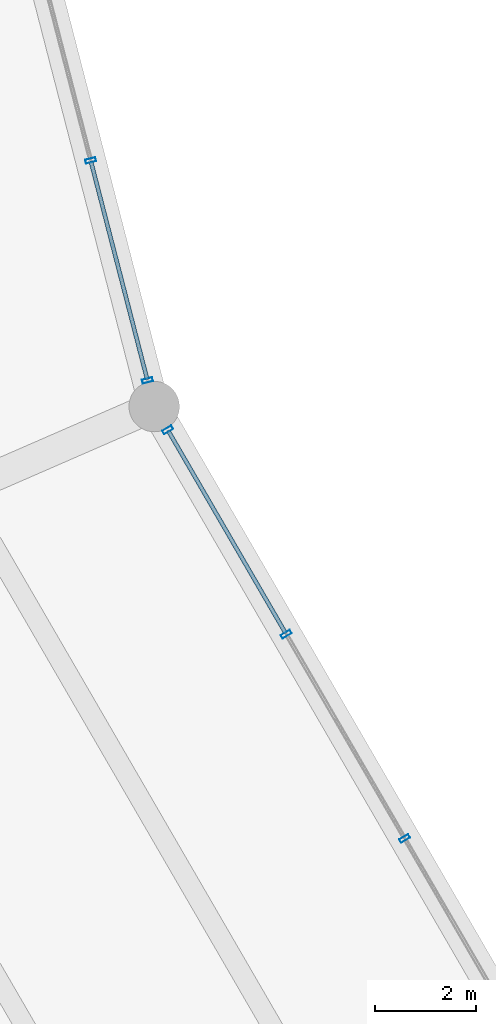
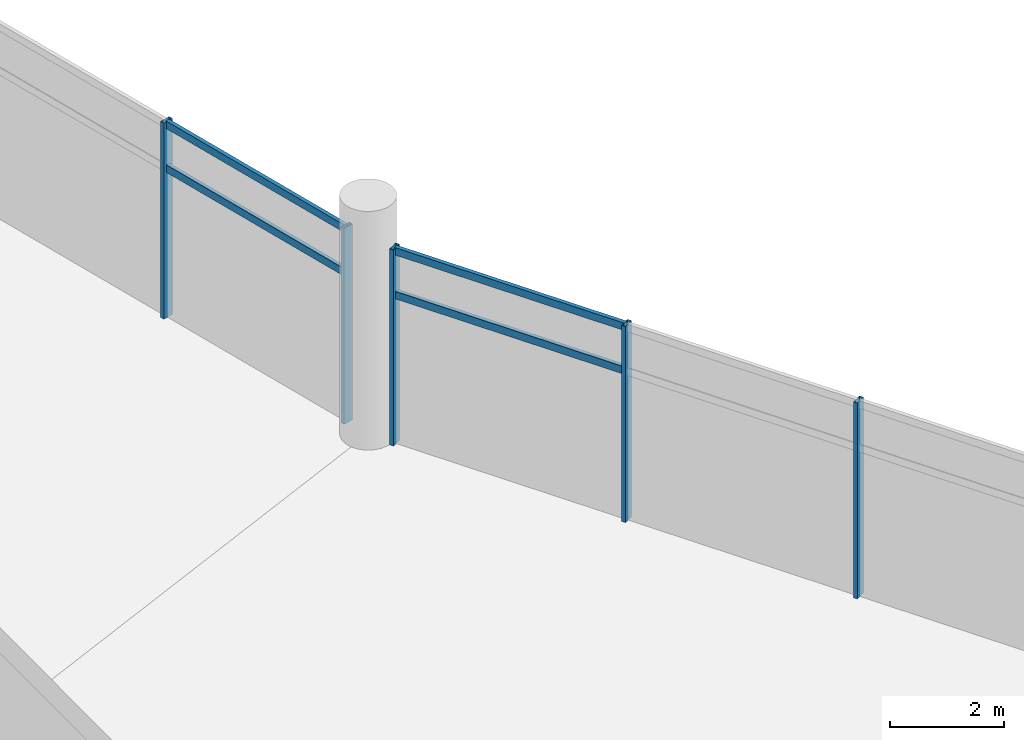
# One storey, part 15 of 184: 9 members, 2 elements without a shape of their own.
"""IFC4 building model written with IfcOpenShell, lengths in metres."""

import ifcopenshell
import ifcopenshell.guid

model = None  # the IFC model being written
_history = None  # IfcOwnerHistory: only IFC2X3 demands one
_inside = {}  # id of a spatial element -> (the spatial element, [elements in it])
_under = {}  # id of a project, library or spatial element -> (it, [spatial elements below it])
_declared = {}  # id of a project -> (the project, [libraries it declares])
_typed = {}  # id of a type object -> (the type object, [elements of that type])
_made_of = {}  # id of a material, layer set ... -> (it, [elements and type objects made of it])


def new_model(schema):
    """Start an empty IFC model of exactly this schema.

    Asked for "IFC4X3", IfcOpenShell would pick the latest addendum, in which some entities
    have other attributes; the version numbers below select the first issue.
    IFC2X3 requires an IfcOwnerHistory on every rooted entity: one is made here for all.
    """
    global model, _history
    if schema == "IFC4X3":
        model = ifcopenshell.file(schema_version=(4, 3, 0, 0))
    else:
        model = ifcopenshell.file(schema=schema)
    _inside.clear()
    _under.clear()
    _declared.clear()
    _typed.clear()
    _made_of.clear()
    _history = None
    if model.schema == "IFC2X3":
        org = make("IfcOrganization", Name="unknown")
        user = make(
            "IfcPersonAndOrganization",
            ThePerson=make("IfcPerson", FamilyName="unknown"),
            TheOrganization=org,
        )
        app = make(
            "IfcApplication",
            ApplicationDeveloper=org,
            Version="unknown",
            ApplicationFullName="unknown",
            ApplicationIdentifier="unknown",
        )
        _history = make(
            "IfcOwnerHistory",
            OwningUser=user,
            OwningApplication=app,
            ChangeAction="ADDED",
            CreationDate=0,
        )
    return model


def make(cls, **values):
    """One entity of the class cls with the attributes given. An attribute that is None is left unset."""
    return model.create_entity(
        cls, **{name: value for name, value in values.items() if value is not None}
    )


def rooted(cls, **values):
    """An entity with a GlobalId (a new one), such as an element, a storey or a relation."""
    return make(cls, GlobalId=ifcopenshell.guid.new(), OwnerHistory=_history, **values)


def si_unit(unit_type, name, prefix=None):
    """IfcSIUnit, for example si_unit("LENGTHUNIT", "METRE", prefix="MILLI")."""
    return make("IfcSIUnit", UnitType=unit_type, Prefix=prefix, Name=name)


def assignment(units):
    """IfcUnitAssignment: the units of a project."""
    return None if units is None else make("IfcUnitAssignment", Units=units)


def point(xyz):
    """IfcCartesianPoint."""
    return None if xyz is None else make("IfcCartesianPoint", Coordinates=xyz)


def direction(xyz):
    """IfcDirection."""
    return None if xyz is None else make("IfcDirection", DirectionRatios=xyz)


def frame(location, z_axis=None, x_axis=None):
    """IfcAxis2Placement3D, a coordinate frame: its origin and axes. An axis left out is left unset."""
    return make(
        "IfcAxis2Placement3D",
        Location=point(location),
        Axis=direction(z_axis),
        RefDirection=direction(x_axis),
    )


def frame_2d(location, x_axis=None):
    """IfcAxis2Placement2D, a coordinate frame in the plane: its origin and x axis."""
    return make(
        "IfcAxis2Placement2D", Location=point(location), RefDirection=direction(x_axis)
    )


def origin():
    """The frame at (0, 0, 0) with its axes left unset."""
    return frame((0.0, 0.0, 0.0))


def origin_2d():
    """The frame at (0, 0) in the plane with its x axis left unset."""
    return frame_2d((0.0, 0.0))


def place(relative_to, where):
    """IfcLocalPlacement: puts the frame where relative to a parent placement (None: the world)."""
    return make(
        "IfcLocalPlacement", PlacementRelTo=relative_to, RelativePlacement=where
    )


def context(
    kind, dimensions, precision=None, world=None, true_north=None, identifier=None
):
    """IfcGeometricRepresentationContext, for example the 3D "Model" context."""
    return make(
        "IfcGeometricRepresentationContext",
        ContextIdentifier=identifier,
        ContextType=kind,
        CoordinateSpaceDimension=dimensions,
        Precision=precision,
        WorldCoordinateSystem=world,
        TrueNorth=true_north,
    )


def subcontext(parent, identifier, kind, view, scale=None):
    """IfcGeometricRepresentationSubContext, for example "Body" below "Model"."""
    return make(
        "IfcGeometricRepresentationSubContext",
        ContextIdentifier=identifier,
        ContextType=kind,
        ParentContext=parent,
        TargetScale=scale,
        TargetView=view,
    )


def project(units=None, contexts=None):
    """IfcProject with its units and contexts."""
    return rooted(
        "IfcProject",
        Name="project",
        RepresentationContexts=contexts,
        UnitsInContext=assignment(units),
    )


def spatial(cls, under=None, at=None, **own):
    """A site, building, storey or space (cls), placed at a placement, below another one or the project."""
    s = rooted(cls, ObjectPlacement=at, **own)
    if under is not None:
        _under.setdefault(under.id(), (under, []))[1].append(s)
    return s


def profile(cls, at=None, kind="AREA", **sizes):
    """A parametric profile (cls). Its sizes go by their IFC names, for example OverallWidth=200.0."""
    return make(cls, ProfileType=kind, Position=at, **sizes)


def hollow_rectangle(**sizes):
    """IfcRectangleHollowProfileDef."""
    return profile("IfcRectangleHollowProfileDef", **sizes)


def extrude(swept, where, along, depth):
    """IfcExtrudedAreaSolid: the profile swept, set in the frame where, extruded along a direction by depth."""
    return make(
        "IfcExtrudedAreaSolid",
        SweptArea=swept,
        Position=where,
        ExtrudedDirection=direction(along),
        Depth=depth,
    )


def shape(context_of_items, identifier, shape_type, items):
    """IfcShapeRepresentation: the items that make up one representation, for example the "Body"."""
    return make(
        "IfcShapeRepresentation",
        ContextOfItems=context_of_items,
        RepresentationIdentifier=identifier,
        RepresentationType=shape_type,
        Items=items,
    )


def material(Name=None, Category=None):
    """IfcMaterial."""
    return make("IfcMaterial", Name=Name, Category=Category)


def layer(
    of_material, thickness, ventilated=None, Name=None, Category=None, Priority=None
):
    """IfcMaterialLayer: one layer of a wall or slab, of a material (None: an air gap)."""
    return make(
        "IfcMaterialLayer",
        Material=of_material,
        LayerThickness=thickness,
        IsVentilated=ventilated,
        Name=Name,
        Category=Category,
        Priority=Priority,
    )


def layer_set(layers, Name=None):
    """IfcMaterialLayerSet."""
    return make("IfcMaterialLayerSet", MaterialLayers=layers, LayerSetName=Name)


def material_profile(
    of_material, cross_section, Name=None, Category=None, Priority=None
):
    """IfcMaterialProfile: a cross section and its material."""
    return make(
        "IfcMaterialProfile",
        Name=Name,
        Material=of_material,
        Profile=cross_section,
        Priority=Priority,
        Category=Category,
    )


def profile_set(profiles, Name=None, composite=None):
    """IfcMaterialProfileSet."""
    return make(
        "IfcMaterialProfileSet",
        Name=Name,
        MaterialProfiles=profiles,
        CompositeProfile=composite,
    )


def made_of(thing, what):
    """Note that an element or type object is made of a material, layer set ...; save() writes the relation."""
    if what is not None:
        _made_of.setdefault(what.id(), (what, []))[1].append(thing)
    return thing


def type_object(cls, material=None, **own):
    """A type object (cls), such as IfcWallType, which elements share."""
    return made_of(rooted(cls, **own), material)


def element(
    cls,
    number,
    at=None,
    inside=None,
    cuts=None,
    type_object=None,
    material=None,
    context=None,
    identifier="Body",
    shape_type=None,
    held_by="IfcProductDefinitionShape",
    body=None,
    shapes=None,
    **own,
):
    """One element of the class cls, such as IfcWall. Its Tag is "e" and its number.

    at: its placement. inside: the storey or other place that contains it. cuts: it is an
    opening in that element (IfcRelVoidsElement). A single representation is given by context,
    identifier, shape_type and body (its items); several are given by shapes. held_by: the class
    of the entity that holds the representations. save() writes the other relations.
    """
    e = rooted(cls, Tag="e%d" % number, ObjectPlacement=at, **own)
    if body is not None:
        shapes = [shape(context, identifier, shape_type, body)]
    if shapes is not None:
        e.Representation = make(held_by, Representations=shapes)
    if inside is not None:
        _inside.setdefault(inside.id(), (inside, []))[1].append(e)
    if cuts is not None:
        rooted(
            "IfcRelVoidsElement", RelatingBuildingElement=cuts, RelatedOpeningElement=e
        )
    if type_object is not None:
        _typed.setdefault(type_object.id(), (type_object, []))[1].append(e)
    return made_of(e, material)


def aggregate(whole, parts):
    """IfcRelAggregates: a whole, such as a stair, and the parts it consists of."""
    return rooted("IfcRelAggregates", RelatingObject=whole, RelatedObjects=parts)


def save(model, path):
    """Write the relations noted so far, then the file.

    IfcRelAggregates (storeys below a building ...), IfcRelContainedInSpatialStructure (elements
    in a storey), IfcRelDefinesByType, IfcRelAssociatesMaterial and IfcRelDeclares: one each for
    every whole, place, type object, material and project.
    """
    for whole, parts in _under.values():
        aggregate(whole, parts)
    for where, things in _inside.values():
        rooted(
            "IfcRelContainedInSpatialStructure",
            RelatedElements=things,
            RelatingStructure=where,
        )
    for kind, things in _typed.values():
        rooted("IfcRelDefinesByType", RelatedObjects=things, RelatingType=kind)
    for what, things in _made_of.values():
        rooted("IfcRelAssociatesMaterial", RelatedObjects=things, RelatingMaterial=what)
    for by, libraries in _declared.values():
        rooted("IfcRelDeclares", RelatingContext=by, RelatedDefinitions=libraries)
    model.write(path)


model = new_model("IFC4")

# Units and contexts
model_context = context("Model", 3, precision=1e-05, world=origin(), true_north=direction((0.0, 1.0)))
body_context = subcontext(model_context, "Body", "Model", "MODEL_VIEW")
ifc_project = project(units=[si_unit("LENGTHUNIT", "METRE"), si_unit("AREAUNIT", "SQUARE_METRE"), si_unit("VOLUMEUNIT", "CUBIC_METRE"), si_unit("PLANEANGLEUNIT", "RADIAN"), si_unit("MASSUNIT", "GRAM", prefix="KILO")], contexts=[model_context])

# Site, building, storey
site_placement = place(None, origin())
site = spatial("IfcSite", under=ifc_project, at=site_placement, CompositionType="ELEMENT")
building_placement = place(site_placement, origin())
building = spatial("IfcBuilding", under=site, at=building_placement, Name="Kazemori Nagisa Stadium", CompositionType="ELEMENT")
storey_placement = place(building_placement, frame((0.0, 0.0, 10.5400390625)))
storey = spatial("IfcBuildingStorey", under=building, at=storey_placement, Name="L02", CompositionType="ELEMENT", Elevation=10.5400390625)

# Curtain wall, members
ifc_material_1 = material(Name="Anodised aluminium 6063-T5", Category="aluminium")
ifc_layer_1 = layer(ifc_material_1, 0.2099609375, Name="Anodised aluminium 6063-T5", Category="aluminium")
ifc_layer_set_1 = layer_set([ifc_layer_1], Name="Anodised aluminium 6063-T5")
curtain_wall_type_1 = type_object("IfcCurtainWallType", Name="CW_L02B_68", PredefinedType="USERDEFINED", material=ifc_layer_set_1)
curtain_wall_1_placement = place(storey_placement, origin())
curtain_wall_1 = element("IfcCurtainWall", 1, at=curtain_wall_1_placement, inside=storey, type_object=curtain_wall_type_1, Name="Unitised curtain wall CW-L02B-68 L02", ObjectType="UNITISED CURTAIN WALL", PredefinedType="USERDEFINED")
ifc_material_2 = material(Name="Aluminium 6063-T5 anodised", Category="aluminium")
ifc_material_profile_1 = material_profile(ifc_material_2, hollow_rectangle(XDim=0.080078125, YDim=0.2099609375, WallThickness=0.0048828125, at=origin_2d()), Name="ALU-MULL-80x210x5")
ifc_profile_set_1 = profile_set([ifc_material_profile_1], Name="Aluminium 6063-T5 anodised")
member_type_1 = type_object("IfcMemberType", Name="Mullion_M02", PredefinedType="MULLION", material=ifc_profile_set_1)
member_1_placement = place(storey_placement, frame((56.853759765625, 78.594482421875, 0.0), z_axis=(0.0, 0.0, 1.0), x_axis=(0.249964642418, -0.968254965152, 0.0)))
member_1 = element("IfcMember", 2, at=member_1_placement, type_object=member_type_1, Name="Curtain wall mullion CW-L02B-68-M3", PredefinedType="MULLION", context=body_context, shape_type="SweptSolid", body=[
    extrude(hollow_rectangle(XDim=0.080078125, YDim=0.2099609375, WallThickness=0.0048828125, at=origin_2d()), origin(), (0.0, 0.0, 1.0), 4.18994140625),
])
member_2_placement = place(storey_placement, frame((57.980224609375, 74.23095703125, 0.0), z_axis=(0.0, 0.0, 1.0), x_axis=(0.249964642418, -0.968254965152, 0.0)))
member_2 = element("IfcMember", 3, at=member_2_placement, type_object=member_type_1, Name="Curtain wall mullion CW-L02B-68-M4", PredefinedType="MULLION", context=body_context, shape_type="SweptSolid", body=[
    extrude(hollow_rectangle(XDim=0.080078125, YDim=0.2099609375, WallThickness=0.0048828125, at=origin_2d()), origin(), (0.0, 0.0, 1.0), 4.18994140625),
])

ifc_layer_2 = layer(ifc_material_1, 0.2099609375, Name="Anodised aluminium 6063-T5", Category="aluminium")
ifc_layer_set_2 = layer_set([ifc_layer_2], Name="Anodised aluminium 6063-T5")
curtain_wall_type_2 = type_object("IfcCurtainWallType", Name="CW_L02B_71", PredefinedType="USERDEFINED", material=ifc_layer_set_2)
curtain_wall_2_placement = place(storey_placement, origin())
curtain_wall_2 = element("IfcCurtainWall", 4, at=curtain_wall_2_placement, inside=storey, type_object=curtain_wall_type_2, Name="Unitised curtain wall CW-L02B-71 L02", ObjectType="UNITISED CURTAIN WALL", PredefinedType="USERDEFINED")
member_3_placement = place(storey_placement, frame((58.38232421875, 73.25, 0.0), z_axis=(0.0, 0.0, 1.0), x_axis=(0.501611590054, -0.865092950337, 0.0)))
member_3 = element("IfcMember", 5, at=member_3_placement, type_object=member_type_1, Name="Curtain wall mullion CW-L02B-71-M1", PredefinedType="MULLION", context=body_context, shape_type="SweptSolid", body=[
    extrude(hollow_rectangle(XDim=0.080078125, YDim=0.2099609375, WallThickness=0.0048828125, at=origin_2d()), origin(), (0.0, 0.0, 1.0), 4.18994140625),
])
member_4_placement = place(storey_placement, frame((60.731689453125, 69.198486328125, 0.0), z_axis=(0.0, 0.0, 1.0), x_axis=(0.501611590054, -0.865092950337, 0.0)))
member_4 = element("IfcMember", 6, at=member_4_placement, type_object=member_type_1, Name="Curtain wall mullion CW-L02B-71-M2", PredefinedType="MULLION", context=body_context, shape_type="SweptSolid", body=[
    extrude(hollow_rectangle(XDim=0.080078125, YDim=0.2099609375, WallThickness=0.0048828125, at=origin_2d()), origin(), (0.0, 0.0, 1.0), 4.18994140625),
])
member_5_placement = place(storey_placement, frame((63.080810546875, 65.14697265625, 0.0), z_axis=(0.0, 0.0, 1.0), x_axis=(0.501611590054, -0.865092950337, 0.0)))
member_5 = element("IfcMember", 7, at=member_5_placement, type_object=member_type_1, Name="Curtain wall mullion CW-L02B-71-M3", PredefinedType="MULLION", context=body_context, shape_type="SweptSolid", body=[
    extrude(hollow_rectangle(XDim=0.080078125, YDim=0.2099609375, WallThickness=0.0048828125, at=origin_2d()), origin(), (0.0, 0.0, 1.0), 4.18994140625),
])

# Member
ifc_material_profile_2 = material_profile(ifc_material_2, hollow_rectangle(XDim=0.080078125, YDim=0.159912109375, WallThickness=0.00390625, at=origin_2d()), Name="ALU-TRAN-80x160x4")
ifc_profile_set_2 = profile_set([ifc_material_profile_2], Name="Aluminium 6063-T5 anodised")
member_type_2 = type_object("IfcMemberType", Name="Transom_T02", PredefinedType="USERDEFINED", material=ifc_profile_set_2)
member_6_placement = place(storey_placement, frame((56.858642578125, 78.5751953125, 3.184326171875), z_axis=(0.25000034168, -0.96824574833, 0.0), x_axis=(0.96824574833, 0.25000034168, 0.0)))
member_6 = element("IfcMember", 8, at=member_6_placement, type_object=member_type_2, Name="Curtain wall transom CW-L02B-68-T3-mid", ObjectType="TRANSOM", PredefinedType="USERDEFINED", context=body_context, shape_type="SweptSolid", body=[
    extrude(hollow_rectangle(XDim=0.080078125, YDim=0.159912109375, WallThickness=0.00390625, at=origin_2d()), origin(), (0.0, 0.0, 1.0), 4.466796875),
])

member_7_placement = place(storey_placement, frame((56.858642578125, 78.5751953125, 4.119873046875), z_axis=(0.25000034168, -0.96824574833, 0.0), x_axis=(0.96824574833, 0.25000034168, 0.0)))
member_7 = element("IfcMember", 9, at=member_7_placement, type_object=member_type_2, Name="Curtain wall transom CW-L02B-68-T3-head", ObjectType="TRANSOM", PredefinedType="USERDEFINED", context=body_context, shape_type="SweptSolid", body=[
    extrude(hollow_rectangle(XDim=0.080078125, YDim=0.159912109375, WallThickness=0.00390625, at=origin_2d()), origin(), (0.0, 0.0, 1.0), 4.466796875),
])

aggregate(curtain_wall_1, [member_1, member_2, member_6, member_7])

member_8_placement = place(storey_placement, frame((58.392333984375, 73.232666015625, 3.184326171875), z_axis=(0.501610282552, -0.865093708472, 0.0), x_axis=(0.865093708472, 0.501610282552, 0.0)))
member_8 = element("IfcMember", 10, at=member_8_placement, type_object=member_type_2, Name="Curtain wall transom CW-L02B-71-T1-mid", ObjectType="TRANSOM", PredefinedType="USERDEFINED", context=body_context, shape_type="SweptSolid", body=[
    extrude(hollow_rectangle(XDim=0.080078125, YDim=0.159912109375, WallThickness=0.00390625, at=origin_2d()), origin(), (0.0, 0.0, 1.0), 4.643310546875),
])

member_9_placement = place(storey_placement, frame((58.392333984375, 73.232666015625, 4.119873046875), z_axis=(0.501610282552, -0.865093708472, 0.0), x_axis=(0.865093708472, 0.501610282552, 0.0)))
member_9 = element("IfcMember", 11, at=member_9_placement, type_object=member_type_2, Name="Curtain wall transom CW-L02B-71-T1-head", ObjectType="TRANSOM", PredefinedType="USERDEFINED", context=body_context, shape_type="SweptSolid", body=[
    extrude(hollow_rectangle(XDim=0.080078125, YDim=0.159912109375, WallThickness=0.00390625, at=origin_2d()), origin(), (0.0, 0.0, 1.0), 4.643310546875),
])

aggregate(curtain_wall_2, [member_3, member_4, member_5, member_8, member_9])

save(model, "model.ifc")
